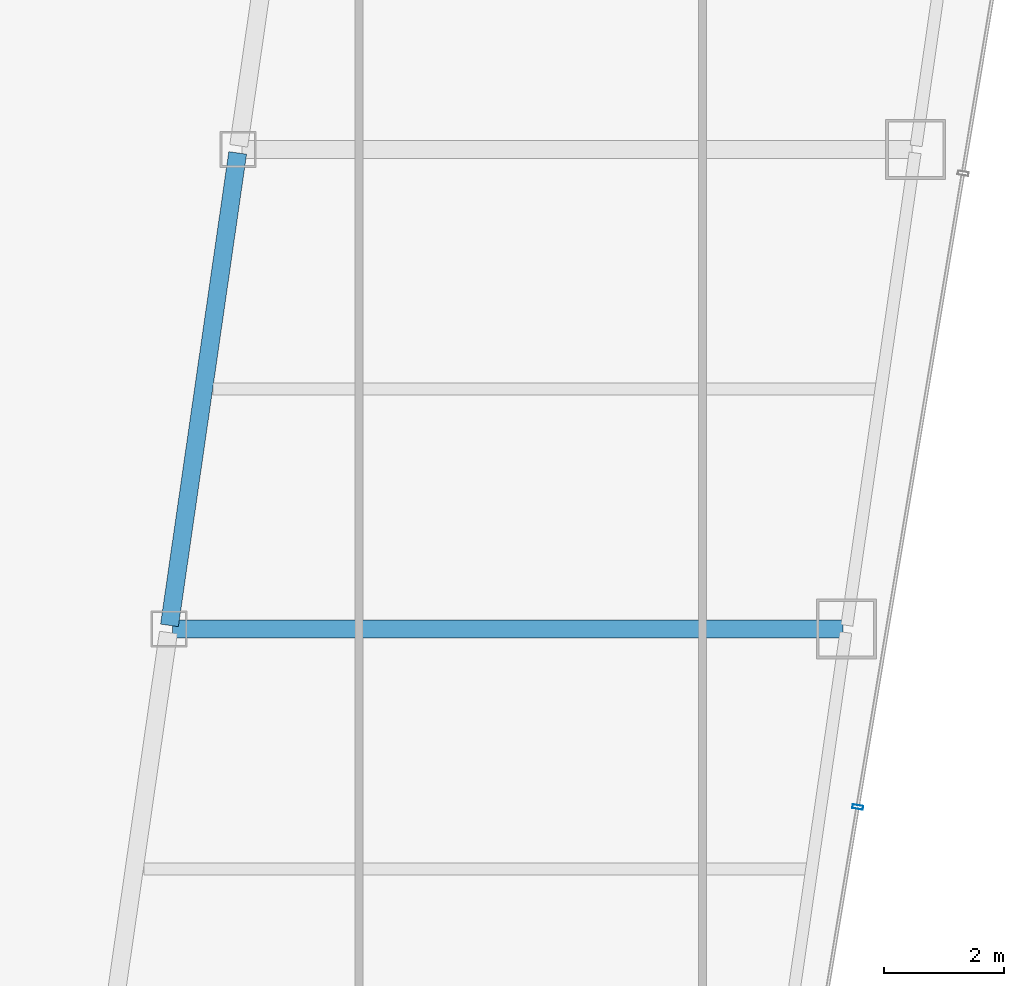
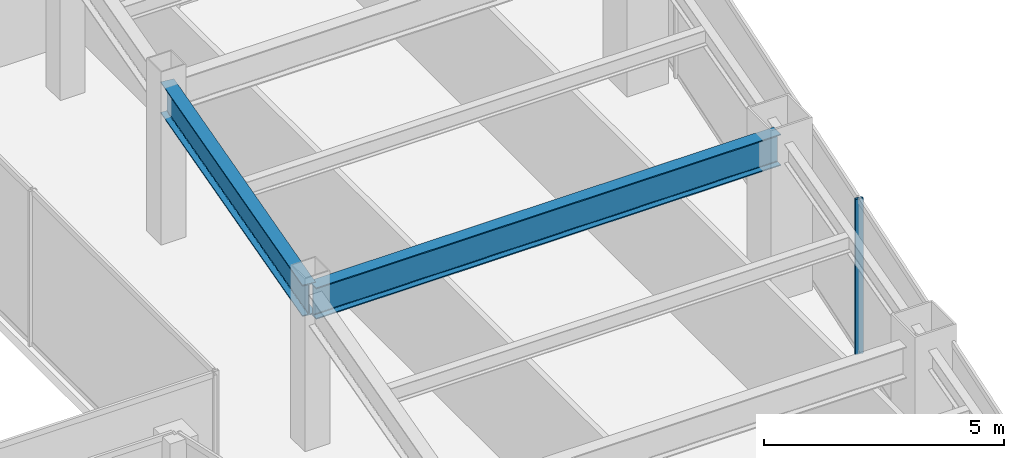
# One storey, part 15 of 36: 2 beams, 1 member, 1 element without a shape of its own.
"""IFC4 building model written with IfcOpenShell, lengths in metres."""

from ifc_helpers import new_model, si_unit, direction, frame, origin, origin_2d, place, context, subcontext, project, spatial, hollow_rectangle, i_section, extrude, material, material_profile, profile_set, type_object, element, aggregate, save


model = new_model("IFC4")

# Units and contexts
model_context = context("Model", 3, precision=1e-05, world=origin(), true_north=direction((0.0, 1.0)))
body_context = subcontext(model_context, "Body", "Model", "MODEL_VIEW")
ifc_project = project(units=[si_unit("LENGTHUNIT", "METRE"), si_unit("AREAUNIT", "SQUARE_METRE"), si_unit("VOLUMEUNIT", "CUBIC_METRE"), si_unit("PLANEANGLEUNIT", "RADIAN"), si_unit("MASSUNIT", "GRAM", prefix="KILO")], contexts=[model_context])

# Site, building, storey
site_placement = place(None, origin())
site = spatial("IfcSite", under=ifc_project, at=site_placement, CompositionType="ELEMENT")
building_placement = place(site_placement, origin())
building = spatial("IfcBuilding", under=site, at=building_placement, Name="Saevonmaru Cultural Tower", CompositionType="ELEMENT")
storey_placement = place(building_placement, frame((0.0, 0.0, 119.199951171875)))
storey = spatial("IfcBuildingStorey", under=building, at=storey_placement, Name="L25", CompositionType="ELEMENT", Elevation=119.199951171875)

# Beams
ifc_material_1 = material(Name="Steel SM420", Category="steel")
ifc_material_profile_1 = material_profile(ifc_material_1, i_section(OverallWidth=0.300048828125, OverallDepth=0.800048828125, WebThickness=0.013916015625, FlangeThickness=0.02587890625, FilletRadius=0.028076171875, at=origin_2d()), Name="H-800x300x14x26")
ifc_profile_set_1 = profile_set([ifc_material_profile_1], Name="Steel SM420")
beam_type = type_object("IfcBeamType", Name="BM-G-H800", PredefinedType="BEAM", material=ifc_profile_set_1)
beam_1_placement = place(storey_placement, frame((39.236572265625, 24.059326171875, 3.550048828125), z_axis=(0.142902032203, 0.989736838353, 0.0), x_axis=(-0.989736838353, 0.142902032203, 0.0)))
element("IfcBeam", 1, at=beam_1_placement, inside=storey, type_object=beam_type, Name="L25 East Atrium Girder 3", PredefinedType="BEAM", context=body_context, shape_type="SweptSolid", body=[
    extrude(i_section(OverallWidth=0.300048828125, OverallDepth=0.800048828125, WebThickness=0.013916015625, FlangeThickness=0.02587890625, FilletRadius=0.028076171875, at=origin_2d()), origin(), (0.0, 0.0, 1.0), 7.963134765625),
])
beam_2_placement = place(storey_placement, frame((39.2880859375, 24.0, 3.550048828125), z_axis=(1.0, 0.0, 0.0), x_axis=(0.0, 1.0, 0.0)))
element("IfcBeam", 2, at=beam_2_placement, inside=storey, type_object=beam_type, Name="L25 East Wing Transverse Girder 3", PredefinedType="BEAM", context=body_context, shape_type="SweptSolid", body=[
    extrude(i_section(OverallWidth=0.300048828125, OverallDepth=0.800048828125, WebThickness=0.013916015625, FlangeThickness=0.02587890625, FilletRadius=0.028076171875, at=origin_2d()), origin(), (0.0, 0.0, 1.0), 11.179931640625),
])

# Curtain wall, member
ifc_material_2 = material(Name="Satin Bronze Anodised Aluminium", Category="aluminium")
curtain_wall_type = type_object("IfcCurtainWallType", Name="CW-TYP-A", PredefinedType="NOTDEFINED", material=ifc_material_2)
curtain_wall_placement = place(storey_placement, origin())
curtain_wall = element("IfcCurtainWall", 3, at=curtain_wall_placement, inside=storey, type_object=curtain_wall_type, Name="L25 Unitised Curtain Wall E8", PredefinedType="NOTDEFINED")
ifc_material_profile_2 = material_profile(ifc_material_2, hollow_rectangle(XDim=0.06494140625, YDim=0.179931640625, WallThickness=0.00390625, at=origin_2d()), Name="ALU-MULL-180x65x4")
ifc_profile_set_2 = profile_set([ifc_material_profile_2], Name="Satin Bronze Anodised Aluminium")
member_type = type_object("IfcMemberType", Name="ML-CW-180x65", PredefinedType="MULLION", material=ifc_profile_set_2)
member_placement = place(storey_placement, frame((50.71826171875, 21.029541015625, 0.0), z_axis=(0.0, 0.0, 1.0), x_axis=(0.163998702345, 0.986460554523, 0.0)))
member = element("IfcMember", 4, at=member_placement, type_object=member_type, Name="CW-TW-L25-E8 mullion 2", PredefinedType="MULLION", context=body_context, shape_type="SweptSolid", body=[
    extrude(hollow_rectangle(XDim=0.06494140625, YDim=0.179931640625, WallThickness=0.00390625, at=origin_2d()), origin(), (0.0, 0.0, 1.0), 3.949951171875),
])
aggregate(curtain_wall, [member])

save(model, "model.ifc")
